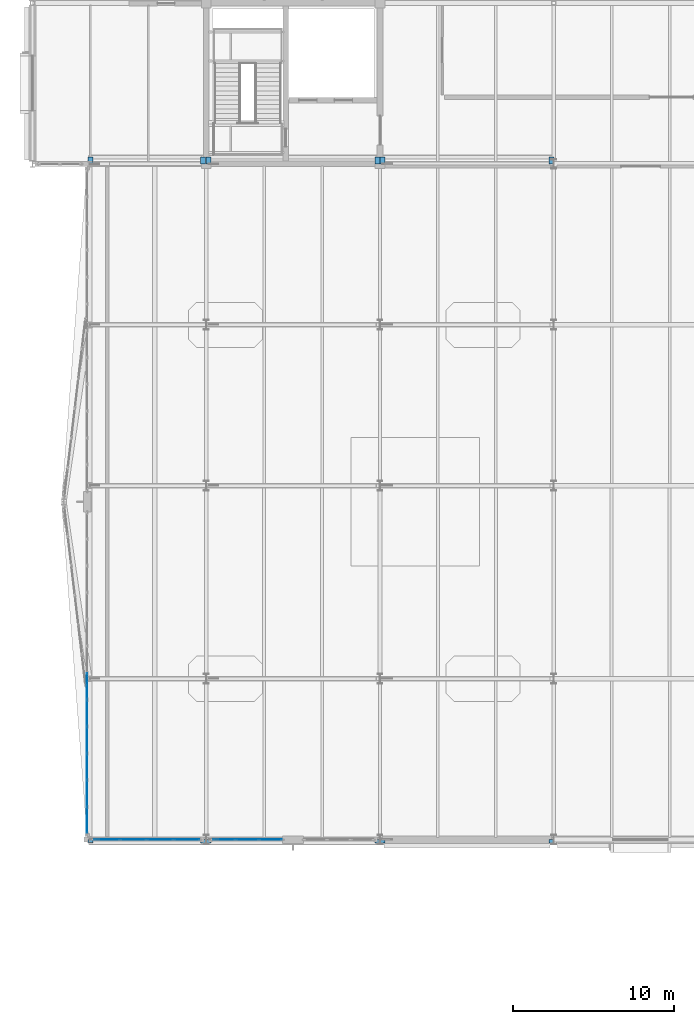
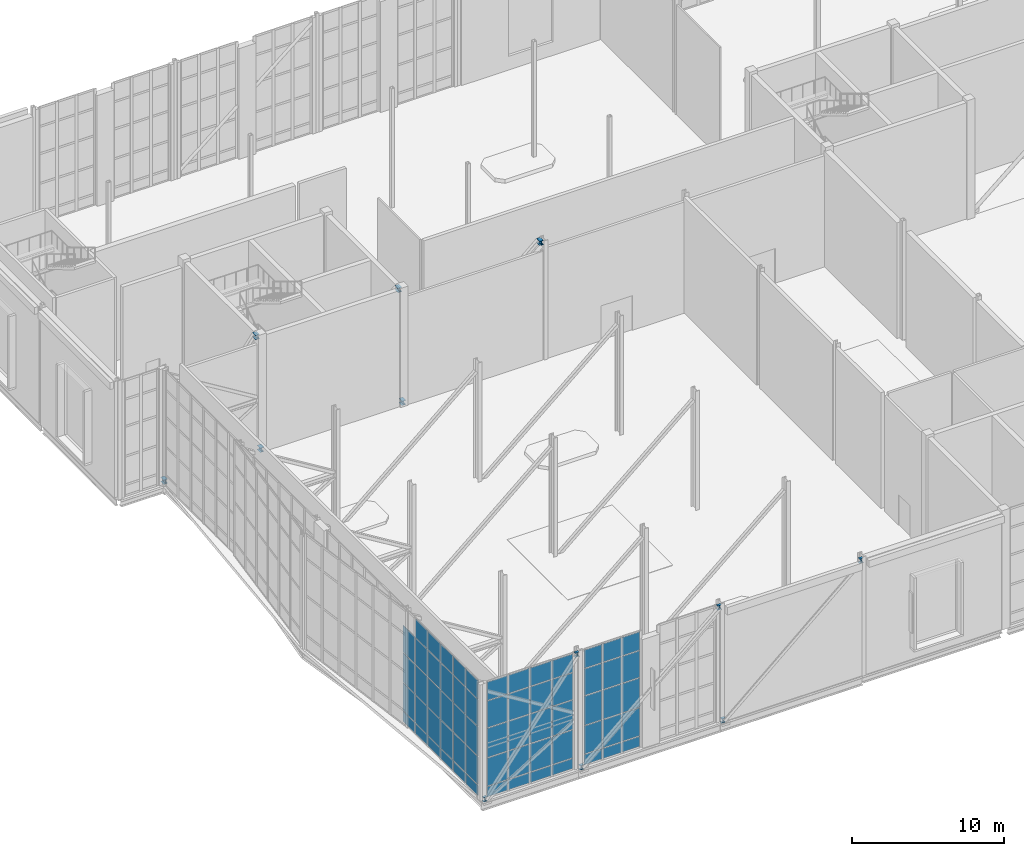
# One storey, part 61 of 100: 64 plates, 12 beams, 3 elements without a shape of their own.
"""IFC4 building model written with IfcOpenShell, lengths in metres."""

from ifc_helpers import new_model, si_unit, direction, frame, origin, origin_2d, place, context, subcontext, project, spatial, rectangle, i_section, extrude, material, layer, layer_set, material_profile, profile_set, type_object, element, aggregate, save


model = new_model("IFC4")

# Units and contexts
model_context = context("Model", 3, precision=1e-05, world=origin(), true_north=direction((0.0, 1.0)))
body_context = subcontext(model_context, "Body", "Model", "MODEL_VIEW")
ifc_project = project(units=[si_unit("LENGTHUNIT", "METRE"), si_unit("AREAUNIT", "SQUARE_METRE"), si_unit("VOLUMEUNIT", "CUBIC_METRE"), si_unit("PLANEANGLEUNIT", "RADIAN"), si_unit("MASSUNIT", "GRAM", prefix="KILO")], contexts=[model_context])

# Site, building, storey
site_placement = place(None, origin())
site = spatial("IfcSite", under=ifc_project, at=site_placement, CompositionType="ELEMENT")
building_placement = place(site_placement, origin())
building = spatial("IfcBuilding", under=site, at=building_placement, Name="Tasgan Crest Museum", CompositionType="ELEMENT")
storey_placement = place(building_placement, frame((0.0, 0.0, 14.39990234375)))
storey = spatial("IfcBuildingStorey", under=building, at=storey_placement, Name="L03", CompositionType="ELEMENT", Elevation=14.39990234375)

# Beams
ifc_material_1 = material(Name="Steel S355J2", Category="steel")
ifc_material_profile = material_profile(ifc_material_1, i_section(OverallWidth=0.300048828125, OverallDepth=0.35009765625, WebThickness=0.009521484375, FlangeThickness=0.017578125, FilletRadius=0.027099609375, at=origin_2d()), Name="HEA 360")
ifc_profile_set = profile_set([ifc_material_profile], Name="Steel S355J2")
beam_type = type_object("IfcBeamType", Name="BM-G-HEA360", PredefinedType="BEAM", material=ifc_profile_set)
for number, where, z_axis, x_axis, name in (
    (1, (3.60009765625, 40.0, 0.050048828125), (0.0, -1.0, 0.0), (1.0, 0.0, 0.0), "Exterior truss outrigger S3A"),
    (2, (10.60009765625, 40.0, 9.25), (0.0, -1.0, 0.0), (1.0, 0.0, 0.0), "Exterior truss outrigger S3B"),
    (3, (10.949951171875, 40.0, 0.050048828125), (0.0, -1.0, 0.0), (1.0, 0.0, 0.0), "Exterior truss outrigger S4A"),
    (4, (21.449951171875, 40.0, 9.25), (0.0, -1.0, 0.0), (1.0, 0.0, 0.0), "Exterior truss outrigger S4B"),
    (5, (21.75, 40.0, 0.050048828125), (0.0, -1.0, 0.0), (1.0, 0.0, 0.0), "Exterior truss outrigger S5A"),
    (6, (32.25, 40.0, 9.25), (0.0, -1.0, 0.0), (1.0, 0.0, 0.0), "Exterior truss outrigger S5B"),
):
    element("IfcBeam", number, at=place(storey_placement, frame(where, z_axis=z_axis, x_axis=x_axis)), inside=storey, type_object=beam_type, Name=name, PredefinedType="BEAM", context=body_context, shape_type="SweptSolid", body=[
        extrude(i_section(OverallWidth=0.300048828125, OverallDepth=0.35009765625, WebThickness=0.009521484375, FlangeThickness=0.017578125, FilletRadius=0.027099609375, at=origin_2d()), origin(), (0.0, 0.0, 1.0), 0.199951171875),
    ])
for number, where, z_axis, x_axis, name in (
    (7, (3.60009765625, 82.0, 0.050048828125), (0.0, 1.0, 0.0), (-1.0, 0.0, 0.0), "Exterior truss outrigger N3A"),
    (8, (10.60009765625, 82.0, 9.25), (0.0, 1.0, 0.0), (-1.0, 0.0, 0.0), "Exterior truss outrigger N3B"),
    (9, (10.949951171875, 82.0, 0.050048828125), (0.0, 1.0, 0.0), (-1.0, 0.0, 0.0), "Exterior truss outrigger N4A"),
    (10, (21.449951171875, 82.0, 9.25), (0.0, 1.0, 0.0), (-1.0, 0.0, 0.0), "Exterior truss outrigger N4B"),
    (11, (21.75, 82.0, 0.050048828125), (0.0, 1.0, 0.0), (-1.0, 0.0, 0.0), "Exterior truss outrigger N5A"),
    (12, (32.25, 82.0, 9.25), (0.0, 1.0, 0.0), (-1.0, 0.0, 0.0), "Exterior truss outrigger N5B"),
):
    element("IfcBeam", number, at=place(storey_placement, frame(where, z_axis=z_axis, x_axis=x_axis)), inside=storey, type_object=beam_type, Name=name, PredefinedType="BEAM", context=body_context, shape_type="SweptSolid", body=[
        extrude(i_section(OverallWidth=0.300048828125, OverallDepth=0.35009765625, WebThickness=0.009521484375, FlangeThickness=0.017578125, FilletRadius=0.027099609375, at=origin_2d()), origin(), (0.0, 0.0, 1.0), 0.419921875),
    ])

# Curtain wall, plates
ifc_material_2 = material(Name="Triple-Glazed Aluminium Curtain Wall", Category="aluminium")
ifc_layer_1 = layer(ifc_material_2, 0.179931640625, Name="CW-CANT-TIP-96")
ifc_layer_set_1 = layer_set([ifc_layer_1], Name="Triple-Glazed Aluminium Curtain Wall")
curtain_wall_type_1 = type_object("IfcCurtainWallType", Name="CW-CANT-TIP-96", PredefinedType="NOTDEFINED", material=ifc_layer_set_1)
curtain_wall_1_placement = place(storey_placement, origin())
curtain_wall_1 = element("IfcCurtainWall", 13, at=curtain_wall_1_placement, inside=storey, type_object=curtain_wall_type_1, Name="Curtain wall L03 139", PredefinedType="NOTDEFINED")
ifc_material_3 = material(Name="Insulated Spandrel Glass", Category="glass")
ifc_layer_2 = layer(ifc_material_3, 0.052001953125, Name="CW-PANEL-SPANDREL")
ifc_layer_set_2 = layer_set([ifc_layer_2], Name="Insulated Spandrel Glass")
plate_type_1 = type_object("IfcPlateType", Name="CW-PANEL-SPANDREL", PredefinedType="CURTAIN_PANEL", material=ifc_layer_set_2)
plate_1_placement = place(storey_placement, frame((3.39990234375, 49.527099609375, 0.06005859375), z_axis=(0.0, 0.0, 1.0), x_axis=(0.0, -1.0, 0.0)))
plate_1 = element("IfcPlate", 14, at=plate_1_placement, type_object=plate_type_1, Name="CW10 panel 7.1", PredefinedType="CURTAIN_PANEL", context=body_context, shape_type="SweptSolid", body=[
    extrude(rectangle(XDim=1.605712890625, YDim=0.028076171875, at=origin_2d()), origin(), (0.0, 0.0, 1.0), 0.81005859375),
])
plate_2_placement = place(storey_placement, frame((3.39990234375, 47.861328125, 0.06005859375), z_axis=(0.0, 0.0, 1.0), x_axis=(0.0, -1.0, 0.0)))
plate_2 = element("IfcPlate", 15, at=plate_2_placement, type_object=plate_type_1, Name="CW10 panel 8.1", PredefinedType="CURTAIN_PANEL", context=body_context, shape_type="SweptSolid", body=[
    extrude(rectangle(XDim=1.605712890625, YDim=0.028076171875, at=origin_2d()), origin(), (0.0, 0.0, 1.0), 0.81005859375),
])
plate_3_placement = place(storey_placement, frame((3.39990234375, 46.1953125, 0.06005859375), z_axis=(0.0, 0.0, 1.0), x_axis=(0.0, -1.0, 0.0)))
plate_3 = element("IfcPlate", 16, at=plate_3_placement, type_object=plate_type_1, Name="CW10 panel 9.1", PredefinedType="CURTAIN_PANEL", context=body_context, shape_type="SweptSolid", body=[
    extrude(rectangle(XDim=1.605712890625, YDim=0.028076171875, at=origin_2d()), origin(), (0.0, 0.0, 1.0), 0.81005859375),
])
plate_4_placement = place(storey_placement, frame((3.39990234375, 44.529541015625, 0.06005859375), z_axis=(0.0, 0.0, 1.0), x_axis=(0.0, -1.0, 0.0)))
plate_4 = element("IfcPlate", 17, at=plate_4_placement, type_object=plate_type_1, Name="CW10 panel 10.1", PredefinedType="CURTAIN_PANEL", context=body_context, shape_type="SweptSolid", body=[
    extrude(rectangle(XDim=1.605712890625, YDim=0.028076171875, at=origin_2d()), origin(), (0.0, 0.0, 1.0), 0.81005859375),
])
plate_5_placement = place(storey_placement, frame((3.39990234375, 42.86376953125, 0.06005859375), z_axis=(0.0, 0.0, 1.0), x_axis=(0.0, -1.0, 0.0)))
plate_5 = element("IfcPlate", 18, at=plate_5_placement, type_object=plate_type_1, Name="CW10 panel 11.1", PredefinedType="CURTAIN_PANEL", context=body_context, shape_type="SweptSolid", body=[
    extrude(rectangle(XDim=1.605712890625, YDim=0.028076171875, at=origin_2d()), origin(), (0.0, 0.0, 1.0), 0.81005859375),
])
plate_6_placement = place(storey_placement, frame((3.39990234375, 41.212890625, 0.06005859375), z_axis=(0.0, 0.0, 1.0), x_axis=(0.0, -1.0, 0.0)))
plate_6 = element("IfcPlate", 19, at=plate_6_placement, type_object=plate_type_1, Name="CW10 panel 12.1", PredefinedType="CURTAIN_PANEL", context=body_context, shape_type="SweptSolid", body=[
    extrude(rectangle(XDim=1.575927734375, YDim=0.028076171875, at=origin_2d()), origin(), (0.0, 0.0, 1.0), 0.81005859375),
])

ifc_material_4 = material(Name="Triple-Glazed Aluminium Curtain Wall", Category="aluminium")
ifc_layer_3 = layer(ifc_material_4, 0.179931640625, Name="CW-CANT-SIDE-96")
ifc_layer_set_3 = layer_set([ifc_layer_3], Name="Triple-Glazed Aluminium Curtain Wall")
curtain_wall_type_2 = type_object("IfcCurtainWallType", Name="CW-CANT-SIDE-96", PredefinedType="NOTDEFINED", material=ifc_layer_set_3)
curtain_wall_2_placement = place(storey_placement, origin())
curtain_wall_2 = element("IfcCurtainWall", 20, at=curtain_wall_2_placement, inside=storey, type_object=curtain_wall_type_2, Name="Curtain wall L03 140", PredefinedType="NOTDEFINED")
plate_7_placement = place(storey_placement, frame((4.61376953125, 40.0, 0.06005859375), z_axis=(0.0, 0.0, 1.0), x_axis=(1.0, 0.0, 0.0)))
plate_7 = element("IfcPlate", 21, at=plate_7_placement, type_object=plate_type_1, Name="CW12 panel 1.1", PredefinedType="CURTAIN_PANEL", context=body_context, shape_type="SweptSolid", body=[
    extrude(rectangle(XDim=1.577392578125, YDim=0.028076171875, at=origin_2d()), origin(), (0.0, 0.0, 1.0), 0.81005859375),
])
plate_8_placement = place(storey_placement, frame((6.266357421875, 40.0, 0.06005859375), z_axis=(0.0, 0.0, 1.0), x_axis=(1.0, 0.0, 0.0)))
plate_8 = element("IfcPlate", 22, at=plate_8_placement, type_object=plate_type_1, Name="CW12 panel 2.1", PredefinedType="CURTAIN_PANEL", context=body_context, shape_type="SweptSolid", body=[
    extrude(rectangle(XDim=1.607421875, YDim=0.028076171875, at=origin_2d()), origin(), (0.0, 0.0, 1.0), 0.81005859375),
])
plate_9_placement = place(storey_placement, frame((7.933837890625, 40.0, 0.06005859375), z_axis=(0.0, 0.0, 1.0), x_axis=(1.0, 0.0, 0.0)))
plate_9 = element("IfcPlate", 23, at=plate_9_placement, type_object=plate_type_1, Name="CW12 panel 3.1", PredefinedType="CURTAIN_PANEL", context=body_context, shape_type="SweptSolid", body=[
    extrude(rectangle(XDim=1.607421875, YDim=0.028076171875, at=origin_2d()), origin(), (0.0, 0.0, 1.0), 0.81005859375),
])
plate_10_placement = place(storey_placement, frame((9.586181640625, 40.0, 0.06005859375), z_axis=(0.0, 0.0, 1.0), x_axis=(1.0, 0.0, 0.0)))
plate_10 = element("IfcPlate", 24, at=plate_10_placement, type_object=plate_type_1, Name="CW12 panel 4.1", PredefinedType="CURTAIN_PANEL", context=body_context, shape_type="SweptSolid", body=[
    extrude(rectangle(XDim=1.577392578125, YDim=0.028076171875, at=origin_2d()), origin(), (0.0, 0.0, 1.0), 0.81005859375),
])

curtain_wall_3_placement = place(storey_placement, origin())
curtain_wall_3 = element("IfcCurtainWall", 25, at=curtain_wall_3_placement, inside=storey, type_object=curtain_wall_type_2, Name="Curtain wall L03 141", PredefinedType="NOTDEFINED")
plate_11_placement = place(storey_placement, frame((11.91162109375, 40.0, 0.06005859375), z_axis=(0.0, 0.0, 1.0), x_axis=(1.0, 0.0, 0.0)))
plate_11 = element("IfcPlate", 26, at=plate_11_placement, type_object=plate_type_1, Name="CW12 panel 1.1", PredefinedType="CURTAIN_PANEL", context=body_context, shape_type="SweptSolid", body=[
    extrude(rectangle(XDim=1.373291015625, YDim=0.028076171875, at=origin_2d()), origin(), (0.0, 0.0, 1.0), 0.81005859375),
])
plate_12_placement = place(storey_placement, frame((13.360107421875, 40.0, 0.06005859375), z_axis=(0.0, 0.0, 1.0), x_axis=(1.0, 0.0, 0.0)))
plate_12 = element("IfcPlate", 27, at=plate_12_placement, type_object=plate_type_1, Name="CW12 panel 2.1", PredefinedType="CURTAIN_PANEL", context=body_context, shape_type="SweptSolid", body=[
    extrude(rectangle(XDim=1.4033203125, YDim=0.028076171875, at=origin_2d()), origin(), (0.0, 0.0, 1.0), 0.81005859375),
])
plate_13_placement = place(storey_placement, frame((14.808349609375, 40.0, 0.06005859375), z_axis=(0.0, 0.0, 1.0), x_axis=(1.0, 0.0, 0.0)))
plate_13 = element("IfcPlate", 28, at=plate_13_placement, type_object=plate_type_1, Name="CW12 panel 3.1", PredefinedType="CURTAIN_PANEL", context=body_context, shape_type="SweptSolid", body=[
    extrude(rectangle(XDim=1.373291015625, YDim=0.028076171875, at=origin_2d()), origin(), (0.0, 0.0, 1.0), 0.81005859375),
])

# Plate
ifc_material_5 = material(Name="Low-E Triple Glazing", Category="glass")
ifc_layer_4 = layer(ifc_material_5, 0.0439453125, Name="CW-PANEL-TRIPLE")
ifc_layer_set_4 = layer_set([ifc_layer_4], Name="Low-E Triple Glazing")
plate_type_2 = type_object("IfcPlateType", Name="CW-PANEL-TRIPLE", PredefinedType="CURTAIN_PANEL", material=ifc_layer_set_4)
plate_14_placement = place(storey_placement, frame((3.39990234375, 49.527099609375, 0.93017578125), z_axis=(0.0, 0.0, 1.0), x_axis=(0.0, -1.0, 0.0)))
plate_14 = element("IfcPlate", 29, at=plate_14_placement, type_object=plate_type_2, Name="CW10 panel 7.2", PredefinedType="CURTAIN_PANEL", context=body_context, shape_type="SweptSolid", body=[
    extrude(rectangle(XDim=1.605712890625, YDim=0.028076171875, at=origin_2d()), origin(), (0.0, 0.0, 1.0), 2.239990234375),
])

plate_15_placement = place(storey_placement, frame((3.39990234375, 49.527099609375, 3.22998046875), z_axis=(0.0, 0.0, 1.0), x_axis=(0.0, -1.0, 0.0)))
plate_15 = element("IfcPlate", 30, at=plate_15_placement, type_object=plate_type_2, Name="CW10 panel 7.3", PredefinedType="CURTAIN_PANEL", context=body_context, shape_type="SweptSolid", body=[
    extrude(rectangle(XDim=1.605712890625, YDim=0.028076171875, at=origin_2d()), origin(), (0.0, 0.0, 1.0), 2.340087890625),
])

plate_16_placement = place(storey_placement, frame((3.39990234375, 49.527099609375, 5.63037109375), z_axis=(0.0, 0.0, 1.0), x_axis=(0.0, -1.0, 0.0)))
plate_16 = element("IfcPlate", 31, at=plate_16_placement, type_object=plate_type_2, Name="CW10 panel 7.4", PredefinedType="CURTAIN_PANEL", context=body_context, shape_type="SweptSolid", body=[
    extrude(rectangle(XDim=1.605712890625, YDim=0.028076171875, at=origin_2d()), origin(), (0.0, 0.0, 1.0), 2.139892578125),
])

plate_17_placement = place(storey_placement, frame((3.39990234375, 47.861328125, 0.93017578125), z_axis=(0.0, 0.0, 1.0), x_axis=(0.0, -1.0, 0.0)))
plate_17 = element("IfcPlate", 32, at=plate_17_placement, type_object=plate_type_2, Name="CW10 panel 8.2", PredefinedType="CURTAIN_PANEL", context=body_context, shape_type="SweptSolid", body=[
    extrude(rectangle(XDim=1.605712890625, YDim=0.028076171875, at=origin_2d()), origin(), (0.0, 0.0, 1.0), 2.239990234375),
])

plate_18_placement = place(storey_placement, frame((3.39990234375, 47.861328125, 3.22998046875), z_axis=(0.0, 0.0, 1.0), x_axis=(0.0, -1.0, 0.0)))
plate_18 = element("IfcPlate", 33, at=plate_18_placement, type_object=plate_type_2, Name="CW10 panel 8.3", PredefinedType="CURTAIN_PANEL", context=body_context, shape_type="SweptSolid", body=[
    extrude(rectangle(XDim=1.605712890625, YDim=0.028076171875, at=origin_2d()), origin(), (0.0, 0.0, 1.0), 2.340087890625),
])

plate_19_placement = place(storey_placement, frame((3.39990234375, 47.861328125, 5.63037109375), z_axis=(0.0, 0.0, 1.0), x_axis=(0.0, -1.0, 0.0)))
plate_19 = element("IfcPlate", 34, at=plate_19_placement, type_object=plate_type_2, Name="CW10 panel 8.4", PredefinedType="CURTAIN_PANEL", context=body_context, shape_type="SweptSolid", body=[
    extrude(rectangle(XDim=1.605712890625, YDim=0.028076171875, at=origin_2d()), origin(), (0.0, 0.0, 1.0), 2.139892578125),
])

plate_20_placement = place(storey_placement, frame((3.39990234375, 47.861328125, 7.830078125), z_axis=(0.0, 0.0, 1.0), x_axis=(0.0, -1.0, 0.0)))
plate_20 = element("IfcPlate", 35, at=plate_20_placement, type_object=plate_type_2, Name="CW10 panel 8.5", PredefinedType="CURTAIN_PANEL", context=body_context, shape_type="SweptSolid", body=[
    extrude(rectangle(XDim=1.605712890625, YDim=0.028076171875, at=origin_2d()), origin(), (0.0, 0.0, 1.0), 1.469970703125),
])

plate_21_placement = place(storey_placement, frame((3.39990234375, 46.1953125, 0.93017578125), z_axis=(0.0, 0.0, 1.0), x_axis=(0.0, -1.0, 0.0)))
plate_21 = element("IfcPlate", 36, at=plate_21_placement, type_object=plate_type_2, Name="CW10 panel 9.2", PredefinedType="CURTAIN_PANEL", context=body_context, shape_type="SweptSolid", body=[
    extrude(rectangle(XDim=1.605712890625, YDim=0.028076171875, at=origin_2d()), origin(), (0.0, 0.0, 1.0), 2.239990234375),
])

plate_22_placement = place(storey_placement, frame((3.39990234375, 46.1953125, 3.22998046875), z_axis=(0.0, 0.0, 1.0), x_axis=(0.0, -1.0, 0.0)))
plate_22 = element("IfcPlate", 37, at=plate_22_placement, type_object=plate_type_2, Name="CW10 panel 9.3", PredefinedType="CURTAIN_PANEL", context=body_context, shape_type="SweptSolid", body=[
    extrude(rectangle(XDim=1.605712890625, YDim=0.028076171875, at=origin_2d()), origin(), (0.0, 0.0, 1.0), 2.340087890625),
])

plate_23_placement = place(storey_placement, frame((3.39990234375, 46.1953125, 5.63037109375), z_axis=(0.0, 0.0, 1.0), x_axis=(0.0, -1.0, 0.0)))
plate_23 = element("IfcPlate", 38, at=plate_23_placement, type_object=plate_type_2, Name="CW10 panel 9.4", PredefinedType="CURTAIN_PANEL", context=body_context, shape_type="SweptSolid", body=[
    extrude(rectangle(XDim=1.605712890625, YDim=0.028076171875, at=origin_2d()), origin(), (0.0, 0.0, 1.0), 2.139892578125),
])

plate_24_placement = place(storey_placement, frame((3.39990234375, 46.1953125, 7.830078125), z_axis=(0.0, 0.0, 1.0), x_axis=(0.0, -1.0, 0.0)))
plate_24 = element("IfcPlate", 39, at=plate_24_placement, type_object=plate_type_2, Name="CW10 panel 9.5", PredefinedType="CURTAIN_PANEL", context=body_context, shape_type="SweptSolid", body=[
    extrude(rectangle(XDim=1.605712890625, YDim=0.028076171875, at=origin_2d()), origin(), (0.0, 0.0, 1.0), 1.469970703125),
])

plate_25_placement = place(storey_placement, frame((3.39990234375, 44.529541015625, 0.93017578125), z_axis=(0.0, 0.0, 1.0), x_axis=(0.0, -1.0, 0.0)))
plate_25 = element("IfcPlate", 40, at=plate_25_placement, type_object=plate_type_2, Name="CW10 panel 10.2", PredefinedType="CURTAIN_PANEL", context=body_context, shape_type="SweptSolid", body=[
    extrude(rectangle(XDim=1.605712890625, YDim=0.028076171875, at=origin_2d()), origin(), (0.0, 0.0, 1.0), 2.239990234375),
])

plate_26_placement = place(storey_placement, frame((3.39990234375, 44.529541015625, 3.22998046875), z_axis=(0.0, 0.0, 1.0), x_axis=(0.0, -1.0, 0.0)))
plate_26 = element("IfcPlate", 41, at=plate_26_placement, type_object=plate_type_2, Name="CW10 panel 10.3", PredefinedType="CURTAIN_PANEL", context=body_context, shape_type="SweptSolid", body=[
    extrude(rectangle(XDim=1.605712890625, YDim=0.028076171875, at=origin_2d()), origin(), (0.0, 0.0, 1.0), 2.340087890625),
])

plate_27_placement = place(storey_placement, frame((3.39990234375, 44.529541015625, 5.63037109375), z_axis=(0.0, 0.0, 1.0), x_axis=(0.0, -1.0, 0.0)))
plate_27 = element("IfcPlate", 42, at=plate_27_placement, type_object=plate_type_2, Name="CW10 panel 10.4", PredefinedType="CURTAIN_PANEL", context=body_context, shape_type="SweptSolid", body=[
    extrude(rectangle(XDim=1.605712890625, YDim=0.028076171875, at=origin_2d()), origin(), (0.0, 0.0, 1.0), 2.139892578125),
])

plate_28_placement = place(storey_placement, frame((3.39990234375, 44.529541015625, 7.830078125), z_axis=(0.0, 0.0, 1.0), x_axis=(0.0, -1.0, 0.0)))
plate_28 = element("IfcPlate", 43, at=plate_28_placement, type_object=plate_type_2, Name="CW10 panel 10.5", PredefinedType="CURTAIN_PANEL", context=body_context, shape_type="SweptSolid", body=[
    extrude(rectangle(XDim=1.605712890625, YDim=0.028076171875, at=origin_2d()), origin(), (0.0, 0.0, 1.0), 1.469970703125),
])

plate_29_placement = place(storey_placement, frame((3.39990234375, 42.86376953125, 0.93017578125), z_axis=(0.0, 0.0, 1.0), x_axis=(0.0, -1.0, 0.0)))
plate_29 = element("IfcPlate", 44, at=plate_29_placement, type_object=plate_type_2, Name="CW10 panel 11.2", PredefinedType="CURTAIN_PANEL", context=body_context, shape_type="SweptSolid", body=[
    extrude(rectangle(XDim=1.605712890625, YDim=0.028076171875, at=origin_2d()), origin(), (0.0, 0.0, 1.0), 2.239990234375),
])

plate_30_placement = place(storey_placement, frame((3.39990234375, 42.86376953125, 3.22998046875), z_axis=(0.0, 0.0, 1.0), x_axis=(0.0, -1.0, 0.0)))
plate_30 = element("IfcPlate", 45, at=plate_30_placement, type_object=plate_type_2, Name="CW10 panel 11.3", PredefinedType="CURTAIN_PANEL", context=body_context, shape_type="SweptSolid", body=[
    extrude(rectangle(XDim=1.605712890625, YDim=0.028076171875, at=origin_2d()), origin(), (0.0, 0.0, 1.0), 2.340087890625),
])

plate_31_placement = place(storey_placement, frame((3.39990234375, 42.86376953125, 5.63037109375), z_axis=(0.0, 0.0, 1.0), x_axis=(0.0, -1.0, 0.0)))
plate_31 = element("IfcPlate", 46, at=plate_31_placement, type_object=plate_type_2, Name="CW10 panel 11.4", PredefinedType="CURTAIN_PANEL", context=body_context, shape_type="SweptSolid", body=[
    extrude(rectangle(XDim=1.605712890625, YDim=0.028076171875, at=origin_2d()), origin(), (0.0, 0.0, 1.0), 2.139892578125),
])

plate_32_placement = place(storey_placement, frame((3.39990234375, 42.86376953125, 7.830078125), z_axis=(0.0, 0.0, 1.0), x_axis=(0.0, -1.0, 0.0)))
plate_32 = element("IfcPlate", 47, at=plate_32_placement, type_object=plate_type_2, Name="CW10 panel 11.5", PredefinedType="CURTAIN_PANEL", context=body_context, shape_type="SweptSolid", body=[
    extrude(rectangle(XDim=1.605712890625, YDim=0.028076171875, at=origin_2d()), origin(), (0.0, 0.0, 1.0), 1.469970703125),
])

plate_33_placement = place(storey_placement, frame((3.39990234375, 41.212890625, 0.93017578125), z_axis=(0.0, 0.0, 1.0), x_axis=(0.0, -1.0, 0.0)))
plate_33 = element("IfcPlate", 48, at=plate_33_placement, type_object=plate_type_2, Name="CW10 panel 12.2", PredefinedType="CURTAIN_PANEL", context=body_context, shape_type="SweptSolid", body=[
    extrude(rectangle(XDim=1.575927734375, YDim=0.028076171875, at=origin_2d()), origin(), (0.0, 0.0, 1.0), 2.239990234375),
])

plate_34_placement = place(storey_placement, frame((3.39990234375, 41.212890625, 3.22998046875), z_axis=(0.0, 0.0, 1.0), x_axis=(0.0, -1.0, 0.0)))
plate_34 = element("IfcPlate", 49, at=plate_34_placement, type_object=plate_type_2, Name="CW10 panel 12.3", PredefinedType="CURTAIN_PANEL", context=body_context, shape_type="SweptSolid", body=[
    extrude(rectangle(XDim=1.575927734375, YDim=0.028076171875, at=origin_2d()), origin(), (0.0, 0.0, 1.0), 2.340087890625),
])

plate_35_placement = place(storey_placement, frame((3.39990234375, 41.212890625, 5.63037109375), z_axis=(0.0, 0.0, 1.0), x_axis=(0.0, -1.0, 0.0)))
plate_35 = element("IfcPlate", 50, at=plate_35_placement, type_object=plate_type_2, Name="CW10 panel 12.4", PredefinedType="CURTAIN_PANEL", context=body_context, shape_type="SweptSolid", body=[
    extrude(rectangle(XDim=1.575927734375, YDim=0.028076171875, at=origin_2d()), origin(), (0.0, 0.0, 1.0), 2.139892578125),
])

plate_36_placement = place(storey_placement, frame((3.39990234375, 41.212890625, 7.830078125), z_axis=(0.0, 0.0, 1.0), x_axis=(0.0, -1.0, 0.0)))
plate_36 = element("IfcPlate", 51, at=plate_36_placement, type_object=plate_type_2, Name="CW10 panel 12.5", PredefinedType="CURTAIN_PANEL", context=body_context, shape_type="SweptSolid", body=[
    extrude(rectangle(XDim=1.575927734375, YDim=0.028076171875, at=origin_2d()), origin(), (0.0, 0.0, 1.0), 1.469970703125),
])

aggregate(curtain_wall_1, [plate_1, plate_14, plate_15, plate_16, plate_2, plate_17, plate_18, plate_19, plate_20, plate_3, plate_21, plate_22, plate_23, plate_24, plate_4, plate_25, plate_26, plate_27, plate_28, plate_5, plate_29, plate_30, plate_31, plate_32, plate_6, plate_33, plate_34, plate_35, plate_36])

plate_37_placement = place(storey_placement, frame((4.61376953125, 40.0, 0.93017578125), z_axis=(0.0, 0.0, 1.0), x_axis=(1.0, 0.0, 0.0)))
plate_37 = element("IfcPlate", 52, at=plate_37_placement, type_object=plate_type_2, Name="CW12 panel 1.2", PredefinedType="CURTAIN_PANEL", context=body_context, shape_type="SweptSolid", body=[
    extrude(rectangle(XDim=1.577392578125, YDim=0.028076171875, at=origin_2d()), origin(), (0.0, 0.0, 1.0), 2.239990234375),
])

plate_38_placement = place(storey_placement, frame((4.61376953125, 40.0, 3.22998046875), z_axis=(0.0, 0.0, 1.0), x_axis=(1.0, 0.0, 0.0)))
plate_38 = element("IfcPlate", 53, at=plate_38_placement, type_object=plate_type_2, Name="CW12 panel 1.3", PredefinedType="CURTAIN_PANEL", context=body_context, shape_type="SweptSolid", body=[
    extrude(rectangle(XDim=1.577392578125, YDim=0.028076171875, at=origin_2d()), origin(), (0.0, 0.0, 1.0), 2.340087890625),
])

plate_39_placement = place(storey_placement, frame((4.61376953125, 40.0, 5.63037109375), z_axis=(0.0, 0.0, 1.0), x_axis=(1.0, 0.0, 0.0)))
plate_39 = element("IfcPlate", 54, at=plate_39_placement, type_object=plate_type_2, Name="CW12 panel 1.4", PredefinedType="CURTAIN_PANEL", context=body_context, shape_type="SweptSolid", body=[
    extrude(rectangle(XDim=1.577392578125, YDim=0.028076171875, at=origin_2d()), origin(), (0.0, 0.0, 1.0), 2.139892578125),
])

plate_40_placement = place(storey_placement, frame((4.61376953125, 40.0, 7.830078125), z_axis=(0.0, 0.0, 1.0), x_axis=(1.0, 0.0, 0.0)))
plate_40 = element("IfcPlate", 55, at=plate_40_placement, type_object=plate_type_2, Name="CW12 panel 1.5", PredefinedType="CURTAIN_PANEL", context=body_context, shape_type="SweptSolid", body=[
    extrude(rectangle(XDim=1.577392578125, YDim=0.028076171875, at=origin_2d()), origin(), (0.0, 0.0, 1.0), 1.469970703125),
])

plate_41_placement = place(storey_placement, frame((6.266357421875, 40.0, 0.93017578125), z_axis=(0.0, 0.0, 1.0), x_axis=(1.0, 0.0, 0.0)))
plate_41 = element("IfcPlate", 56, at=plate_41_placement, type_object=plate_type_2, Name="CW12 panel 2.2", PredefinedType="CURTAIN_PANEL", context=body_context, shape_type="SweptSolid", body=[
    extrude(rectangle(XDim=1.607421875, YDim=0.028076171875, at=origin_2d()), origin(), (0.0, 0.0, 1.0), 2.239990234375),
])

plate_42_placement = place(storey_placement, frame((6.266357421875, 40.0, 3.22998046875), z_axis=(0.0, 0.0, 1.0), x_axis=(1.0, 0.0, 0.0)))
plate_42 = element("IfcPlate", 57, at=plate_42_placement, type_object=plate_type_2, Name="CW12 panel 2.3", PredefinedType="CURTAIN_PANEL", context=body_context, shape_type="SweptSolid", body=[
    extrude(rectangle(XDim=1.607421875, YDim=0.028076171875, at=origin_2d()), origin(), (0.0, 0.0, 1.0), 2.340087890625),
])

plate_43_placement = place(storey_placement, frame((6.266357421875, 40.0, 5.63037109375), z_axis=(0.0, 0.0, 1.0), x_axis=(1.0, 0.0, 0.0)))
plate_43 = element("IfcPlate", 58, at=plate_43_placement, type_object=plate_type_2, Name="CW12 panel 2.4", PredefinedType="CURTAIN_PANEL", context=body_context, shape_type="SweptSolid", body=[
    extrude(rectangle(XDim=1.607421875, YDim=0.028076171875, at=origin_2d()), origin(), (0.0, 0.0, 1.0), 2.139892578125),
])

plate_44_placement = place(storey_placement, frame((6.266357421875, 40.0, 7.830078125), z_axis=(0.0, 0.0, 1.0), x_axis=(1.0, 0.0, 0.0)))
plate_44 = element("IfcPlate", 59, at=plate_44_placement, type_object=plate_type_2, Name="CW12 panel 2.5", PredefinedType="CURTAIN_PANEL", context=body_context, shape_type="SweptSolid", body=[
    extrude(rectangle(XDim=1.607421875, YDim=0.028076171875, at=origin_2d()), origin(), (0.0, 0.0, 1.0), 1.469970703125),
])

plate_45_placement = place(storey_placement, frame((7.933837890625, 40.0, 0.93017578125), z_axis=(0.0, 0.0, 1.0), x_axis=(1.0, 0.0, 0.0)))
plate_45 = element("IfcPlate", 60, at=plate_45_placement, type_object=plate_type_2, Name="CW12 panel 3.2", PredefinedType="CURTAIN_PANEL", context=body_context, shape_type="SweptSolid", body=[
    extrude(rectangle(XDim=1.607421875, YDim=0.028076171875, at=origin_2d()), origin(), (0.0, 0.0, 1.0), 2.239990234375),
])

plate_46_placement = place(storey_placement, frame((7.933837890625, 40.0, 3.22998046875), z_axis=(0.0, 0.0, 1.0), x_axis=(1.0, 0.0, 0.0)))
plate_46 = element("IfcPlate", 61, at=plate_46_placement, type_object=plate_type_2, Name="CW12 panel 3.3", PredefinedType="CURTAIN_PANEL", context=body_context, shape_type="SweptSolid", body=[
    extrude(rectangle(XDim=1.607421875, YDim=0.028076171875, at=origin_2d()), origin(), (0.0, 0.0, 1.0), 2.340087890625),
])

plate_47_placement = place(storey_placement, frame((7.933837890625, 40.0, 5.63037109375), z_axis=(0.0, 0.0, 1.0), x_axis=(1.0, 0.0, 0.0)))
plate_47 = element("IfcPlate", 62, at=plate_47_placement, type_object=plate_type_2, Name="CW12 panel 3.4", PredefinedType="CURTAIN_PANEL", context=body_context, shape_type="SweptSolid", body=[
    extrude(rectangle(XDim=1.607421875, YDim=0.028076171875, at=origin_2d()), origin(), (0.0, 0.0, 1.0), 2.139892578125),
])

plate_48_placement = place(storey_placement, frame((7.933837890625, 40.0, 7.830078125), z_axis=(0.0, 0.0, 1.0), x_axis=(1.0, 0.0, 0.0)))
plate_48 = element("IfcPlate", 63, at=plate_48_placement, type_object=plate_type_2, Name="CW12 panel 3.5", PredefinedType="CURTAIN_PANEL", context=body_context, shape_type="SweptSolid", body=[
    extrude(rectangle(XDim=1.607421875, YDim=0.028076171875, at=origin_2d()), origin(), (0.0, 0.0, 1.0), 1.469970703125),
])

plate_49_placement = place(storey_placement, frame((9.586181640625, 40.0, 0.93017578125), z_axis=(0.0, 0.0, 1.0), x_axis=(1.0, 0.0, 0.0)))
plate_49 = element("IfcPlate", 64, at=plate_49_placement, type_object=plate_type_2, Name="CW12 panel 4.2", PredefinedType="CURTAIN_PANEL", context=body_context, shape_type="SweptSolid", body=[
    extrude(rectangle(XDim=1.577392578125, YDim=0.028076171875, at=origin_2d()), origin(), (0.0, 0.0, 1.0), 2.239990234375),
])

plate_50_placement = place(storey_placement, frame((9.586181640625, 40.0, 3.22998046875), z_axis=(0.0, 0.0, 1.0), x_axis=(1.0, 0.0, 0.0)))
plate_50 = element("IfcPlate", 65, at=plate_50_placement, type_object=plate_type_2, Name="CW12 panel 4.3", PredefinedType="CURTAIN_PANEL", context=body_context, shape_type="SweptSolid", body=[
    extrude(rectangle(XDim=1.577392578125, YDim=0.028076171875, at=origin_2d()), origin(), (0.0, 0.0, 1.0), 2.340087890625),
])

plate_51_placement = place(storey_placement, frame((9.586181640625, 40.0, 5.63037109375), z_axis=(0.0, 0.0, 1.0), x_axis=(1.0, 0.0, 0.0)))
plate_51 = element("IfcPlate", 66, at=plate_51_placement, type_object=plate_type_2, Name="CW12 panel 4.4", PredefinedType="CURTAIN_PANEL", context=body_context, shape_type="SweptSolid", body=[
    extrude(rectangle(XDim=1.577392578125, YDim=0.028076171875, at=origin_2d()), origin(), (0.0, 0.0, 1.0), 2.139892578125),
])

plate_52_placement = place(storey_placement, frame((9.586181640625, 40.0, 7.830078125), z_axis=(0.0, 0.0, 1.0), x_axis=(1.0, 0.0, 0.0)))
plate_52 = element("IfcPlate", 67, at=plate_52_placement, type_object=plate_type_2, Name="CW12 panel 4.5", PredefinedType="CURTAIN_PANEL", context=body_context, shape_type="SweptSolid", body=[
    extrude(rectangle(XDim=1.577392578125, YDim=0.028076171875, at=origin_2d()), origin(), (0.0, 0.0, 1.0), 1.469970703125),
])

aggregate(curtain_wall_2, [plate_7, plate_37, plate_38, plate_39, plate_40, plate_8, plate_41, plate_42, plate_43, plate_44, plate_9, plate_45, plate_46, plate_47, plate_48, plate_10, plate_49, plate_50, plate_51, plate_52])

plate_53_placement = place(storey_placement, frame((11.91162109375, 40.0, 0.93017578125), z_axis=(0.0, 0.0, 1.0), x_axis=(1.0, 0.0, 0.0)))
plate_53 = element("IfcPlate", 68, at=plate_53_placement, type_object=plate_type_2, Name="CW12 panel 1.2", PredefinedType="CURTAIN_PANEL", context=body_context, shape_type="SweptSolid", body=[
    extrude(rectangle(XDim=1.373291015625, YDim=0.028076171875, at=origin_2d()), origin(), (0.0, 0.0, 1.0), 2.239990234375),
])

plate_54_placement = place(storey_placement, frame((11.91162109375, 40.0, 3.22998046875), z_axis=(0.0, 0.0, 1.0), x_axis=(1.0, 0.0, 0.0)))
plate_54 = element("IfcPlate", 69, at=plate_54_placement, type_object=plate_type_2, Name="CW12 panel 1.3", PredefinedType="CURTAIN_PANEL", context=body_context, shape_type="SweptSolid", body=[
    extrude(rectangle(XDim=1.373291015625, YDim=0.028076171875, at=origin_2d()), origin(), (0.0, 0.0, 1.0), 2.340087890625),
])

plate_55_placement = place(storey_placement, frame((11.91162109375, 40.0, 5.63037109375), z_axis=(0.0, 0.0, 1.0), x_axis=(1.0, 0.0, 0.0)))
plate_55 = element("IfcPlate", 70, at=plate_55_placement, type_object=plate_type_2, Name="CW12 panel 1.4", PredefinedType="CURTAIN_PANEL", context=body_context, shape_type="SweptSolid", body=[
    extrude(rectangle(XDim=1.373291015625, YDim=0.028076171875, at=origin_2d()), origin(), (0.0, 0.0, 1.0), 2.139892578125),
])

plate_56_placement = place(storey_placement, frame((11.91162109375, 40.0, 7.830078125), z_axis=(0.0, 0.0, 1.0), x_axis=(1.0, 0.0, 0.0)))
plate_56 = element("IfcPlate", 71, at=plate_56_placement, type_object=plate_type_2, Name="CW12 panel 1.5", PredefinedType="CURTAIN_PANEL", context=body_context, shape_type="SweptSolid", body=[
    extrude(rectangle(XDim=1.373291015625, YDim=0.028076171875, at=origin_2d()), origin(), (0.0, 0.0, 1.0), 1.469970703125),
])

plate_57_placement = place(storey_placement, frame((13.360107421875, 40.0, 0.93017578125), z_axis=(0.0, 0.0, 1.0), x_axis=(1.0, 0.0, 0.0)))
plate_57 = element("IfcPlate", 72, at=plate_57_placement, type_object=plate_type_2, Name="CW12 panel 2.2", PredefinedType="CURTAIN_PANEL", context=body_context, shape_type="SweptSolid", body=[
    extrude(rectangle(XDim=1.4033203125, YDim=0.028076171875, at=origin_2d()), origin(), (0.0, 0.0, 1.0), 2.239990234375),
])

plate_58_placement = place(storey_placement, frame((13.360107421875, 40.0, 3.22998046875), z_axis=(0.0, 0.0, 1.0), x_axis=(1.0, 0.0, 0.0)))
plate_58 = element("IfcPlate", 73, at=plate_58_placement, type_object=plate_type_2, Name="CW12 panel 2.3", PredefinedType="CURTAIN_PANEL", context=body_context, shape_type="SweptSolid", body=[
    extrude(rectangle(XDim=1.4033203125, YDim=0.028076171875, at=origin_2d()), origin(), (0.0, 0.0, 1.0), 2.340087890625),
])

plate_59_placement = place(storey_placement, frame((13.360107421875, 40.0, 5.63037109375), z_axis=(0.0, 0.0, 1.0), x_axis=(1.0, 0.0, 0.0)))
plate_59 = element("IfcPlate", 74, at=plate_59_placement, type_object=plate_type_2, Name="CW12 panel 2.4", PredefinedType="CURTAIN_PANEL", context=body_context, shape_type="SweptSolid", body=[
    extrude(rectangle(XDim=1.4033203125, YDim=0.028076171875, at=origin_2d()), origin(), (0.0, 0.0, 1.0), 2.139892578125),
])

plate_60_placement = place(storey_placement, frame((13.360107421875, 40.0, 7.830078125), z_axis=(0.0, 0.0, 1.0), x_axis=(1.0, 0.0, 0.0)))
plate_60 = element("IfcPlate", 75, at=plate_60_placement, type_object=plate_type_2, Name="CW12 panel 2.5", PredefinedType="CURTAIN_PANEL", context=body_context, shape_type="SweptSolid", body=[
    extrude(rectangle(XDim=1.4033203125, YDim=0.028076171875, at=origin_2d()), origin(), (0.0, 0.0, 1.0), 1.469970703125),
])

plate_61_placement = place(storey_placement, frame((14.808349609375, 40.0, 0.93017578125), z_axis=(0.0, 0.0, 1.0), x_axis=(1.0, 0.0, 0.0)))
plate_61 = element("IfcPlate", 76, at=plate_61_placement, type_object=plate_type_2, Name="CW12 panel 3.2", PredefinedType="CURTAIN_PANEL", context=body_context, shape_type="SweptSolid", body=[
    extrude(rectangle(XDim=1.373291015625, YDim=0.028076171875, at=origin_2d()), origin(), (0.0, 0.0, 1.0), 2.239990234375),
])

plate_62_placement = place(storey_placement, frame((14.808349609375, 40.0, 3.22998046875), z_axis=(0.0, 0.0, 1.0), x_axis=(1.0, 0.0, 0.0)))
plate_62 = element("IfcPlate", 77, at=plate_62_placement, type_object=plate_type_2, Name="CW12 panel 3.3", PredefinedType="CURTAIN_PANEL", context=body_context, shape_type="SweptSolid", body=[
    extrude(rectangle(XDim=1.373291015625, YDim=0.028076171875, at=origin_2d()), origin(), (0.0, 0.0, 1.0), 2.340087890625),
])

plate_63_placement = place(storey_placement, frame((14.808349609375, 40.0, 5.63037109375), z_axis=(0.0, 0.0, 1.0), x_axis=(1.0, 0.0, 0.0)))
plate_63 = element("IfcPlate", 78, at=plate_63_placement, type_object=plate_type_2, Name="CW12 panel 3.4", PredefinedType="CURTAIN_PANEL", context=body_context, shape_type="SweptSolid", body=[
    extrude(rectangle(XDim=1.373291015625, YDim=0.028076171875, at=origin_2d()), origin(), (0.0, 0.0, 1.0), 2.139892578125),
])

plate_64_placement = place(storey_placement, frame((14.808349609375, 40.0, 7.830078125), z_axis=(0.0, 0.0, 1.0), x_axis=(1.0, 0.0, 0.0)))
plate_64 = element("IfcPlate", 79, at=plate_64_placement, type_object=plate_type_2, Name="CW12 panel 3.5", PredefinedType="CURTAIN_PANEL", context=body_context, shape_type="SweptSolid", body=[
    extrude(rectangle(XDim=1.373291015625, YDim=0.028076171875, at=origin_2d()), origin(), (0.0, 0.0, 1.0), 1.469970703125),
])

aggregate(curtain_wall_3, [plate_11, plate_53, plate_54, plate_55, plate_56, plate_12, plate_57, plate_58, plate_59, plate_60, plate_13, plate_61, plate_62, plate_63, plate_64])

save(model, "model.ifc")
